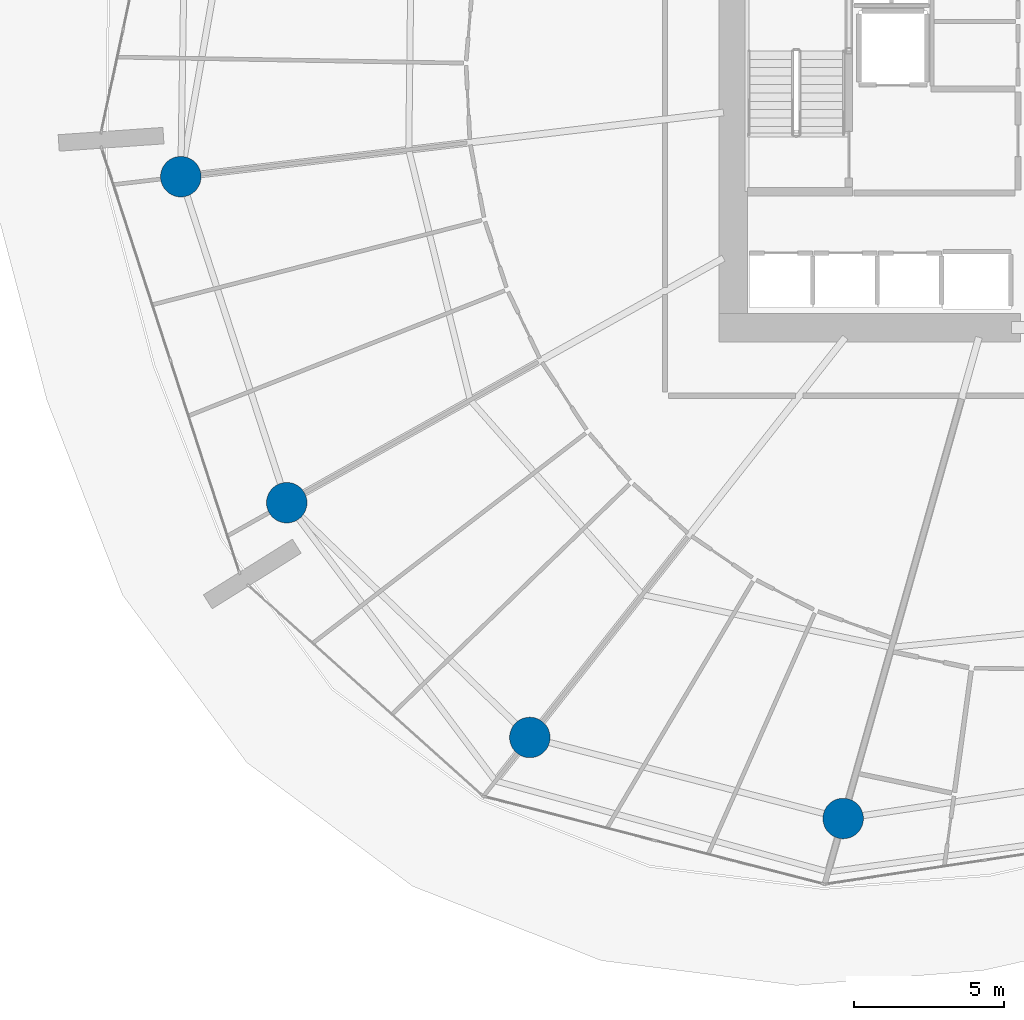
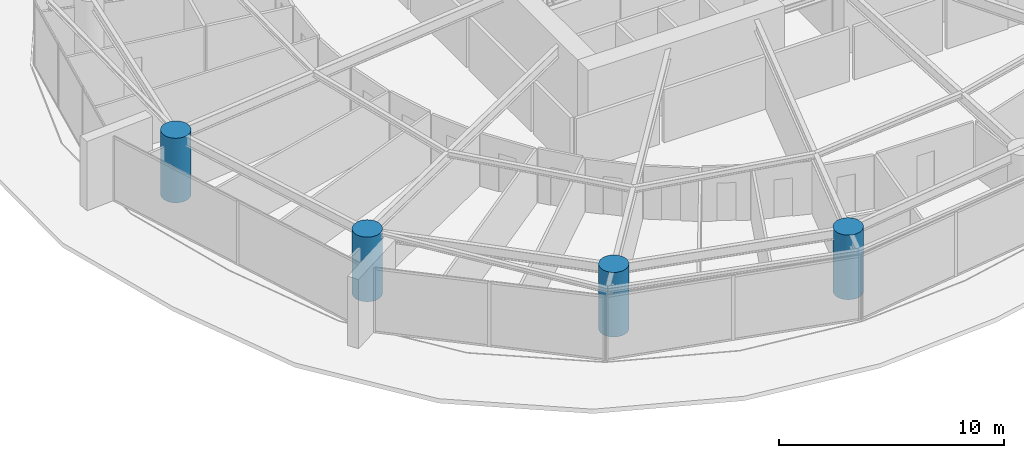
# One storey, part 1 of 22: 4 columns.
"""IFC4 building model written with IfcOpenShell, lengths in metres."""

from ifc_helpers import new_model, si_unit, direction, frame, origin, origin_2d, place, context, subcontext, project, spatial, circle, extrude, material, material_profile, profile_set, type_object, element, save


model = new_model("IFC4")

# Units and contexts
model_context = context("Model", 3, precision=1e-05, world=origin(), true_north=direction((0.0, 1.0)))
body_context = subcontext(model_context, "Body", "Model", "MODEL_VIEW")
ifc_project = project(units=[si_unit("LENGTHUNIT", "METRE"), si_unit("AREAUNIT", "SQUARE_METRE"), si_unit("VOLUMEUNIT", "CUBIC_METRE"), si_unit("PLANEANGLEUNIT", "RADIAN"), si_unit("MASSUNIT", "GRAM", prefix="KILO")], contexts=[model_context])

# Site, building, storey
site_placement = place(None, origin())
site = spatial("IfcSite", under=ifc_project, at=site_placement, CompositionType="ELEMENT")
building_placement = place(site_placement, origin())
building = spatial("IfcBuilding", under=site, at=building_placement, Name="Kazma Halo Residences", CompositionType="ELEMENT")
storey_placement = place(building_placement, frame((0.0, 0.0, 26.39990234375)))
storey = spatial("IfcBuildingStorey", under=building, at=storey_placement, Name="L05", CompositionType="ELEMENT", Elevation=26.39990234375)

# Columns
ifc_material = material(Name="Concrete C80/95", Category="concrete")
ifc_material_profile = material_profile(ifc_material, circle(Radius=0.675048828125, at=origin_2d()), Name="CIRC1350")
ifc_profile_set = profile_set([ifc_material_profile], Name="Concrete C80/95")
column_type = type_object("IfcColumnType", Name="COL-PERIM-1350", PredefinedType="COLUMN", material=ifc_profile_set)
for number, where, z_axis, x_axis, name in (
    (1, (18.902099609375, 38.555908203125, 0.0), (0.0, 0.0, 1.0), (1.0, 0.0, 0.0), "L05 perimeter ring column P08"),
    (2, (22.43505859375, 27.682861328125, 0.0), (0.0, 0.0, 1.0), (1.0, 0.0, 0.0), "L05 perimeter ring column P09"),
    (3, (30.541748046875, 19.854248046875, 0.0), (0.0, 0.0, 1.0), (1.0, 0.0, 0.0), "L05 perimeter ring column P10"),
    (4, (40.99169921875, 17.150634765625, 0.0), (0.0, 0.0, 1.0), (1.0, 0.0, 0.0), "L05 perimeter ring column P11"),
):
    element("IfcColumn", number, at=place(storey_placement, frame(where, z_axis=z_axis, x_axis=x_axis)), inside=storey, type_object=column_type, Name=name, PredefinedType="COLUMN", context=body_context, shape_type="SweptSolid", body=[
        extrude(circle(Radius=0.675048828125, at=origin_2d()), origin(), (0.0, 0.0, 1.0), 3.5),
    ])

save(model, "model.ifc")
